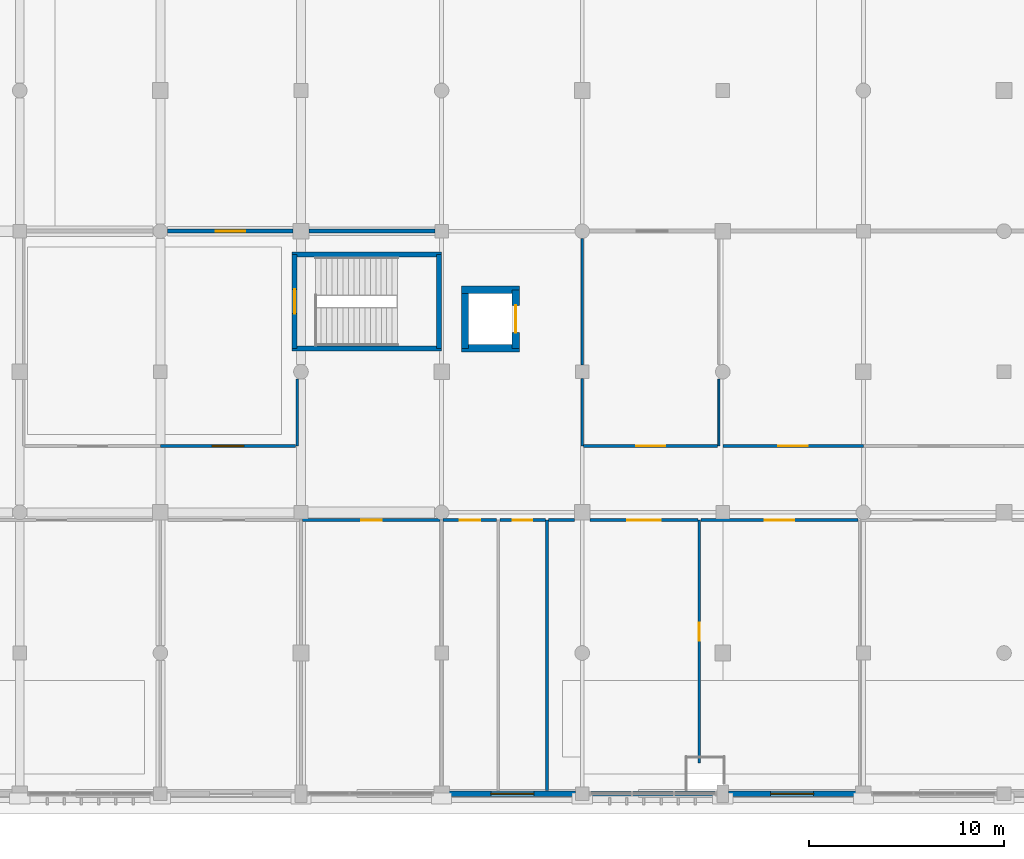
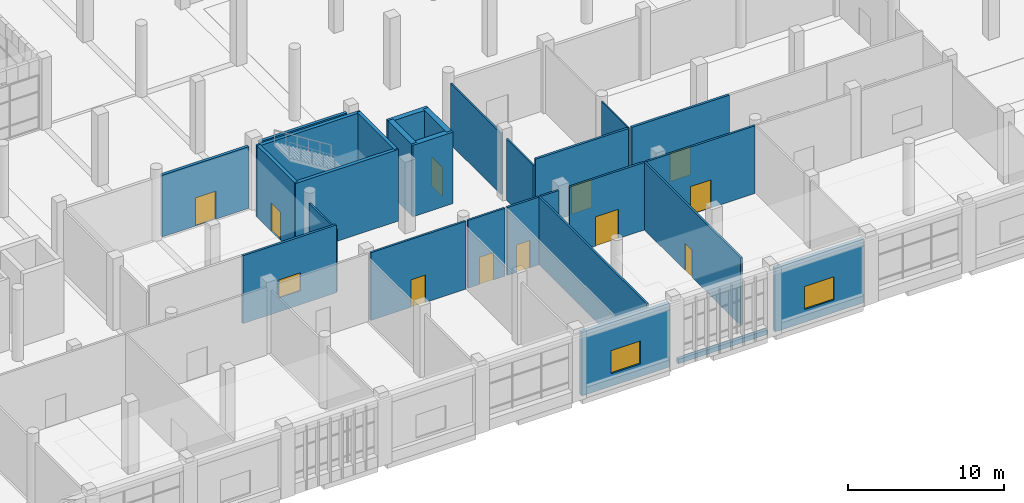
# One storey, part 54 of 80: 28 walls, 11 doors, 3 windows, 14 openings.
"""IFC4 building model written with IfcOpenShell, lengths in metres."""

from ifc_helpers import new_model, si_unit, direction, frame, frame_2d, origin, place, context, subcontext, project, spatial, rectangle, extrude, material, layer, layer_set, type_object, element, fill, save


model = new_model("IFC4")

# Units and contexts
model_context = context("Model", 3, precision=1e-05, world=origin(), true_north=direction((0.0, 1.0)))
body_context = subcontext(model_context, "Body", "Model", "MODEL_VIEW")
ifc_project = project(units=[si_unit("LENGTHUNIT", "METRE"), si_unit("AREAUNIT", "SQUARE_METRE"), si_unit("VOLUMEUNIT", "CUBIC_METRE"), si_unit("PLANEANGLEUNIT", "RADIAN"), si_unit("MASSUNIT", "GRAM", prefix="KILO")], contexts=[model_context])

# Site, building, storey
site_placement = place(None, origin())
site = spatial("IfcSite", under=ifc_project, at=site_placement, CompositionType="ELEMENT")
building_placement = place(site_placement, origin())
building = spatial("IfcBuilding", under=site, at=building_placement, Name="Sardonyx Promenade Sports Hall", CompositionType="ELEMENT")
storey_placement = place(building_placement, frame((0.0, 0.0, 5.60009765625)))
storey = spatial("IfcBuildingStorey", under=building, at=storey_placement, Name="L01", CompositionType="ELEMENT", Elevation=5.60009765625)

# Wall, opening, door
ifc_material_1 = material(Name="Concrete C40/50", Category="concrete")
ifc_layer_1 = layer(ifc_material_1, 0.3798828125)
ifc_layer_set_1 = layer_set([ifc_layer_1], Name="Wall_Core_Shear_380")
wall_type_1 = type_object("IfcWallType", Name="Wall_Core_Shear_380", PredefinedType="SHEAR", material=ifc_layer_set_1)
wall_1_placement = place(storey_placement, frame((111.800048828125, 22.800048828125, 0.0), z_axis=(0.0, 0.0, 1.0), x_axis=(0.0, 1.0, 0.0)))
wall_1 = element("IfcWall", 1, at=wall_1_placement, inside=storey, type_object=wall_type_1, Name="Lift shaft wall LF4 L01 E", PredefinedType="SHEAR", context=body_context, shape_type="SweptSolid", body=[
    extrude(rectangle(XDim=3.0, YDim=0.3798828125, at=frame_2d((1.5, 0.0))), origin(), (0.0, 0.0, 1.0), 5.599853515625),
])
opening_1_placement = place(wall_1_placement, frame((0.800048828125, 0.0, 0.0)))
opening_1 = element("IfcOpeningElement", 2, at=opening_1_placement, cuts=wall_1, Name="Opening LD02", PredefinedType="OPENING", context=body_context, shape_type="SweptSolid", body=[
    extrude(rectangle(XDim=1.39990234375, YDim=2.300048828125, at=frame_2d((0.699951171875, 1.14990234375))), frame((0.0, 0.2, 0.0), z_axis=(0.0, -1.0, 0.0), x_axis=(1.0, 0.0, 0.0)), (0.0, 0.0, 1.0), 0.4),
])
ifc_material_2 = material(Name="Fire-rated heavy-duty sliding lift door", Category="steel")
door_type_1 = type_object("IfcDoorType", Name="Door_Lift_Goods_140x230", OperationType="NOTDEFINED", PredefinedType="DOOR", material=ifc_material_2)
door_1_placement = place(opening_1_placement, origin())
door_1 = element("IfcDoor", 3, at=door_1_placement, inside=storey, type_object=door_type_1, Name="Lift landing sliding door LD-LF4-L01", OperationType="SLIDING_TO_LEFT", OverallHeight=2.300048828125, OverallWidth=1.39990234375, PredefinedType="DOOR", context=body_context, shape_type="SweptSolid", body=[
    extrude(rectangle(XDim=1.39990234375, YDim=2.300048828125, at=frame_2d((0.699951171875, 1.14990234375))), frame((0.0, 0.02490234375, 0.0), z_axis=(0.0, -1.0, 0.0), x_axis=(1.0, 0.0, 0.0)), (0.0, 0.0, 1.0), 0.050048828125),
])
fill(opening_1, door_1)

# Walls
wall_2_placement = place(storey_placement, frame((109.010009765625, 25.800048828125, 0.0), z_axis=(0.0, 0.0, 1.0), x_axis=(1.0, 0.0, 0.0)))
element("IfcWall", 4, at=wall_2_placement, inside=storey, type_object=wall_type_1, Name="Lift shaft wall LF4 L01 N", PredefinedType="SHEAR", context=body_context, shape_type="SweptSolid", body=[
    extrude(rectangle(XDim=2.97998046875, YDim=0.3798828125, at=frame_2d((1.489990234375, 0.0))), origin(), (0.0, 0.0, 1.0), 5.599853515625),
])
wall_3_placement = place(storey_placement, frame((109.199951171875, 25.800048828125, 0.0), z_axis=(0.0, 0.0, 1.0), x_axis=(0.0, -1.0, 0.0)))
element("IfcWall", 5, at=wall_3_placement, inside=storey, type_object=wall_type_1, Name="Lift shaft wall LF4 L01 W", PredefinedType="SHEAR", context=body_context, shape_type="SweptSolid", body=[
    extrude(rectangle(XDim=3.0, YDim=0.3798828125, at=frame_2d((1.5, 0.0))), origin(), (0.0, 0.0, 1.0), 5.599853515625),
])
wall_4_placement = place(storey_placement, frame((111.989990234375, 22.800048828125, 0.0), z_axis=(0.0, 0.0, 1.0), x_axis=(-1.0, 0.0, 0.0)))
element("IfcWall", 6, at=wall_4_placement, inside=storey, type_object=wall_type_1, Name="Lift shaft wall LF4 L01 S", PredefinedType="SHEAR", context=body_context, shape_type="SweptSolid", body=[
    extrude(rectangle(XDim=2.97998046875, YDim=0.3798828125, at=frame_2d((1.489990234375, 0.0))), origin(), (0.0, 0.0, 1.0), 5.599853515625),
])
ifc_material_3 = material(Name="Masonry CMU 15 MPa", Category="masonry")
ifc_layer_2 = layer(ifc_material_3, 0.239990234375)
ifc_layer_set_2 = layer_set([ifc_layer_2], Name="Wall_Ext_Spandrel_240")
wall_type_2 = type_object("IfcWallType", Name="Wall_Ext_Spandrel_240", PredefinedType="SOLIDWALL", material=ifc_layer_set_2)
wall_5_placement = place(storey_placement, frame((122.114990234375, 0.0, 0.0), z_axis=(0.0, 0.0, 1.0), x_axis=(-1.0, 0.0, 0.0)))
element("IfcWall", 7, at=wall_5_placement, inside=storey, type_object=wall_type_2, Name="Curtain-wall sill spandrel L01 #37", PredefinedType="SOLIDWALL", context=body_context, shape_type="SweptSolid", body=[
    extrude(rectangle(XDim=6.580078125, YDim=0.239990234375, at=frame_2d((3.2900390625, 0.0))), origin(), (0.0, 0.0, 1.0), 0.349853515625),
])

# Wall, opening, window
ifc_material_4 = material(Name="Concrete C40/50", Category="concrete")
ifc_layer_3 = layer(ifc_material_4, 0.280029296875)
ifc_layer_set_3 = layer_set([ifc_layer_3], Name="Wall_Ext_Wing_280")
wall_type_3 = type_object("IfcWallType", Name="Wall_Ext_Wing_280", PredefinedType="SOLIDWALL", material=ifc_layer_set_3)
wall_6_placement = place(storey_placement, frame((129.215087890625, 0.0, 0.0), z_axis=(0.0, 0.0, 1.0), x_axis=(-1.0, 0.0, 0.0)))
wall_6 = element("IfcWall", 8, at=wall_6_placement, inside=storey, type_object=wall_type_3, Name="Exterior wall EW02 L01 #36", PredefinedType="SOLIDWALL", context=body_context, shape_type="SweptSolid", body=[
    extrude(rectangle(XDim=6.530029296875, YDim=0.280029296875, at=frame_2d((3.26513671875, 0.0))), origin(), (0.0, 0.0, 1.0), 4.98486328125),
])
opening_2_placement = place(wall_6_placement, frame((2.1650390625, 0.0, 1.0)))
opening_2 = element("IfcOpeningElement", 9, at=opening_2_placement, cuts=wall_6, Name="Opening W13", PredefinedType="OPENING", context=body_context, shape_type="SweptSolid", body=[
    extrude(rectangle(XDim=2.199951171875, YDim=1.800048828125, at=frame_2d((1.10009765625, 0.89990234375))), frame((0.0, 0.15, 0.0), z_axis=(0.0, -1.0, 0.0), x_axis=(1.0, 0.0, 0.0)), (0.0, 0.0, 1.0), 0.3),
])
ifc_material_5 = material(Name="Double-glazed solar low-E aluminium window", Category="aluminium")
window_type_1 = type_object("IfcWindowType", Name="Win_Clinic_220x180", PartitioningType="DOUBLE_PANEL_VERTICAL", PredefinedType="WINDOW", material=ifc_material_5)
window_1_placement = place(opening_2_placement, origin())
window_1 = element("IfcWindow", 10, at=window_1_placement, inside=storey, type_object=window_type_1, Name="Facade window W13 L01 #11", OverallHeight=1.800048828125, OverallWidth=2.199951171875, PartitioningType="SINGLE_PANEL", PredefinedType="WINDOW", context=body_context, shape_type="SweptSolid", body=[
    extrude(rectangle(XDim=2.199951171875, YDim=1.800048828125, at=frame_2d((1.10009765625, 0.89990234375))), frame((0.0, 0.030029296875, 0.0), z_axis=(0.0, -1.0, 0.0), x_axis=(1.0, 0.0, 0.0)), (0.0, 0.0, 1.0), 0.06005859375),
])
fill(opening_2, window_1)

wall_7_placement = place(storey_placement, frame((114.864990234375, 0.0, 0.0), z_axis=(0.0, 0.0, 1.0), x_axis=(-1.0, 0.0, 0.0)))
wall_7 = element("IfcWall", 11, at=wall_7_placement, inside=storey, type_object=wall_type_3, Name="Exterior wall EW02 L01 #38", PredefinedType="SOLIDWALL", context=body_context, shape_type="SweptSolid", body=[
    extrude(rectangle(XDim=6.47998046875, YDim=0.280029296875, at=frame_2d((3.239990234375, 0.0))), origin(), (0.0, 0.0, 1.0), 4.98486328125),
])
opening_3_placement = place(wall_7_placement, frame((2.139892578125, 0.0, 1.0)))
opening_3 = element("IfcOpeningElement", 12, at=opening_3_placement, cuts=wall_7, Name="Opening W13", PredefinedType="OPENING", context=body_context, shape_type="SweptSolid", body=[
    extrude(rectangle(XDim=2.199951171875, YDim=1.800048828125, at=frame_2d((1.10009765625, 0.89990234375))), frame((0.0, 0.15, 0.0), z_axis=(0.0, -1.0, 0.0), x_axis=(1.0, 0.0, 0.0)), (0.0, 0.0, 1.0), 0.3),
])
window_2_placement = place(opening_3_placement, origin())
window_2 = element("IfcWindow", 13, at=window_2_placement, inside=storey, type_object=window_type_1, Name="Facade window W13 L01 #12", OverallHeight=1.800048828125, OverallWidth=2.199951171875, PartitioningType="SINGLE_PANEL", PredefinedType="WINDOW", context=body_context, shape_type="SweptSolid", body=[
    extrude(rectangle(XDim=2.199951171875, YDim=1.800048828125, at=frame_2d((1.10009765625, 0.89990234375))), frame((0.0, 0.030029296875, 0.0), z_axis=(0.0, -1.0, 0.0), x_axis=(1.0, 0.0, 0.0)), (0.0, 0.0, 1.0), 0.06005859375),
])
fill(opening_3, window_2)

ifc_material_6 = material(Name="Twin-stud acoustic gypsum partition", Category="gypsum")
ifc_layer_4 = layer(ifc_material_6, 0.169921875)
ifc_layer_set_4 = layer_set([ifc_layer_4], Name="Wall_Part_Acoust_170")
wall_type_4 = type_object("IfcWallType", Name="Wall_Part_Acoust_170", PredefinedType="PARTITIONING", material=ifc_layer_set_4)
wall_8_placement = place(storey_placement, frame((93.610107421875, 17.800048828125, 0.0), z_axis=(0.0, 0.0, 1.0), x_axis=(1.0, 0.0, 0.0)))
wall_8 = element("IfcWall", 14, at=wall_8_placement, inside=storey, type_object=wall_type_4, Name="Interior partition PW06 L01 #232", PredefinedType="PARTITIONING", context=body_context, shape_type="SweptSolid", body=[
    extrude(rectangle(XDim=6.914794921875, YDim=0.169921875, at=frame_2d((3.45751953125, 0.0))), origin(), (0.0, 0.0, 1.0), 5.309814453125),
])
opening_4_placement = place(wall_8_placement, frame((2.657470703125, 0.0, 1.10009765625)))
opening_4 = element("IfcOpeningElement", 15, at=opening_4_placement, cuts=wall_8, Name="Opening IW02", PredefinedType="OPENING", context=body_context, shape_type="SweptSolid", body=[
    extrude(rectangle(XDim=1.60009765625, YDim=1.39990234375, at=frame_2d((0.800048828125, 0.699951171875))), frame((0.0, 0.095, 0.0), z_axis=(0.0, -1.0, 0.0), x_axis=(1.0, 0.0, 0.0)), (0.0, 0.0, 1.0), 0.19),
])
ifc_material_7 = material(Name="Acoustic laminated sports viewing glazing EI 60", Category="glass")
window_type_2 = type_object("IfcWindowType", Name="IWin_Clinic_160x140", PartitioningType="DOUBLE_PANEL_VERTICAL", PredefinedType="WINDOW", material=ifc_material_7)
window_3_placement = place(opening_4_placement, origin())
window_3 = element("IfcWindow", 16, at=window_3_placement, inside=storey, type_object=window_type_2, Name="Internal viewing window IW02 L01 #3", OverallHeight=1.39990234375, OverallWidth=1.60009765625, PartitioningType="SINGLE_PANEL", PredefinedType="WINDOW", context=body_context, shape_type="SweptSolid", body=[
    extrude(rectangle(XDim=1.60009765625, YDim=1.39990234375, at=frame_2d((0.800048828125, 0.699951171875))), frame((0.0, 0.030029296875, 0.0), z_axis=(0.0, -1.0, 0.0), x_axis=(1.0, 0.0, 0.0)), (0.0, 0.0, 1.0), 0.06005859375),
])
fill(opening_4, window_3)

# Wall, opening, door
wall_9_placement = place(storey_placement, frame((115.27001953125, 17.800048828125, 0.0), z_axis=(0.0, 0.0, 1.0), x_axis=(1.0, 0.0, 0.0)))
wall_9 = element("IfcWall", 17, at=wall_9_placement, inside=storey, type_object=wall_type_4, Name="Interior partition PW06 L01 #233", PredefinedType="PARTITIONING", context=body_context, shape_type="SweptSolid", body=[
    extrude(rectangle(XDim=6.869873046875, YDim=0.169921875, at=frame_2d((3.43505859375, 0.0))), origin(), (0.0, 0.0, 1.0), 5.289794921875),
])
opening_5_placement = place(wall_9_placement, frame((2.68505859375, 0.0, 0.0)))
opening_5 = element("IfcOpeningElement", 18, at=opening_5_placement, cuts=wall_9, Name="Opening ID10", PredefinedType="OPENING", context=body_context, shape_type="SweptSolid", body=[
    extrude(rectangle(XDim=1.5, YDim=2.199951171875, at=frame_2d((0.75, 1.10009765625))), frame((0.0, 0.095, 0.0), z_axis=(0.0, -1.0, 0.0), x_axis=(1.0, 0.0, 0.0)), (0.0, 0.0, 1.0), 0.19),
])
ifc_material_8 = material(Name="Double studio entrance fire door FD30S", Category="wood")
door_type_2 = type_object("IfcDoorType", Name="Door_Corr_FD30_150x220", OperationType="NOTDEFINED", PredefinedType="DOOR", material=ifc_material_8)
door_2_placement = place(opening_5_placement, origin())
door_2 = element("IfcDoor", 19, at=door_2_placement, inside=storey, type_object=door_type_2, Name="Interior door D01-073", OperationType="DOUBLE_DOOR_SINGLE_SWING", OverallHeight=2.199951171875, OverallWidth=1.5, PredefinedType="DOOR", context=body_context, shape_type="SweptSolid", body=[
    extrude(rectangle(XDim=1.5, YDim=2.199951171875, at=frame_2d((0.75, 1.10009765625))), frame((0.0, 0.02490234375, 0.0), z_axis=(0.0, -1.0, 0.0), x_axis=(1.0, 0.0, 0.0)), (0.0, 0.0, 1.0), 0.050048828125),
])
fill(opening_5, door_2)

wall_10_placement = place(storey_placement, frame((122.39990234375, 17.800048828125, 0.0), z_axis=(0.0, 0.0, 1.0), x_axis=(1.0, 0.0, 0.0)))
wall_10 = element("IfcWall", 20, at=wall_10_placement, inside=storey, type_object=wall_type_4, Name="Interior partition PW06 L01 #234", PredefinedType="PARTITIONING", context=body_context, shape_type="SweptSolid", body=[
    extrude(rectangle(XDim=7.2001953125, YDim=0.169921875, at=frame_2d((3.60009765625, 0.0))), origin(), (0.0, 0.0, 1.0), 5.289794921875),
])
opening_6_placement = place(wall_10_placement, frame((2.85009765625, 0.0, 0.0)))
opening_6 = element("IfcOpeningElement", 21, at=opening_6_placement, cuts=wall_10, Name="Opening ID10", PredefinedType="OPENING", context=body_context, shape_type="SweptSolid", body=[
    extrude(rectangle(XDim=1.5, YDim=2.199951171875, at=frame_2d((0.75, 1.10009765625))), frame((0.0, 0.095, 0.0), z_axis=(0.0, -1.0, 0.0), x_axis=(1.0, 0.0, 0.0)), (0.0, 0.0, 1.0), 0.19),
])
door_3_placement = place(opening_6_placement, origin())
door_3 = element("IfcDoor", 22, at=door_3_placement, inside=storey, type_object=door_type_2, Name="Interior door D01-074", OperationType="DOUBLE_DOOR_SINGLE_SWING", OverallHeight=2.199951171875, OverallWidth=1.5, PredefinedType="DOOR", context=body_context, shape_type="SweptSolid", body=[
    extrude(rectangle(XDim=1.5, YDim=2.199951171875, at=frame_2d((0.75, 1.10009765625))), frame((0.0, 0.02490234375, 0.0), z_axis=(0.0, -1.0, 0.0), x_axis=(1.0, 0.0, 0.0)), (0.0, 0.0, 1.0), 0.050048828125),
])
fill(opening_6, door_3)

ifc_material_9 = material(Name="Masonry CMU 15 MPa", Category="masonry")
ifc_layer_5 = layer(ifc_material_9, 0.2099609375)
ifc_layer_set_5 = layer_set([ifc_layer_5], Name="Wall_Part_Block_210")
wall_type_5 = type_object("IfcWallType", Name="Wall_Part_Block_210", PredefinedType="PARTITIONING", material=ifc_layer_set_5)
wall_11_placement = place(storey_placement, frame((93.97509765625, 28.800048828125, 0.0), z_axis=(0.0, 0.0, 1.0), x_axis=(1.0, 0.0, 0.0)))
wall_11 = element("IfcWall", 23, at=wall_11_placement, inside=storey, type_object=wall_type_5, Name="Interior partition PW07 L01 #203", PredefinedType="PARTITIONING", context=body_context, shape_type="SweptSolid", body=[
    extrude(rectangle(XDim=6.4248046875, YDim=0.2099609375, at=frame_2d((3.21240234375, 0.0))), origin(), (0.0, 0.0, 1.0), 4.829833984375),
])
opening_7_placement = place(wall_11_placement, frame((2.46240234375, 0.0, 0.0)))
opening_7 = element("IfcOpeningElement", 24, at=opening_7_placement, cuts=wall_11, Name="Opening ID10", PredefinedType="OPENING", context=body_context, shape_type="SweptSolid", body=[
    extrude(rectangle(XDim=1.5, YDim=2.199951171875, at=frame_2d((0.75, 1.10009765625))), frame((0.0, 0.115, 0.0), z_axis=(0.0, -1.0, 0.0), x_axis=(1.0, 0.0, 0.0)), (0.0, 0.0, 1.0), 0.23),
])
door_4_placement = place(opening_7_placement, origin())
door_4 = element("IfcDoor", 25, at=door_4_placement, inside=storey, type_object=door_type_2, Name="Interior door D01-053", OperationType="DOUBLE_DOOR_SINGLE_SWING", OverallHeight=2.199951171875, OverallWidth=1.5, PredefinedType="DOOR", context=body_context, shape_type="SweptSolid", body=[
    extrude(rectangle(XDim=1.5, YDim=2.199951171875, at=frame_2d((0.75, 1.10009765625))), frame((0.0, 0.02490234375, 0.0), z_axis=(0.0, -1.0, 0.0), x_axis=(1.0, 0.0, 0.0)), (0.0, 0.0, 1.0), 0.050048828125),
])
fill(opening_7, door_4)

# Walls
wall_12_placement = place(storey_placement, frame((101.199951171875, 28.800048828125, 0.0), z_axis=(0.0, 0.0, 1.0), x_axis=(1.0, 0.0, 0.0)))
element("IfcWall", 26, at=wall_12_placement, inside=storey, type_object=wall_type_5, Name="Interior partition PW07 L01 #204", PredefinedType="PARTITIONING", context=body_context, shape_type="SweptSolid", body=[
    extrude(rectangle(XDim=6.449951171875, YDim=0.2099609375, at=frame_2d((3.22509765625, 0.0))), origin(), (0.0, 0.0, 1.0), 4.929931640625),
])
ifc_material_10 = material(Name="Hygienic clinical stud partition", Category="gypsum")
ifc_layer_6 = layer(ifc_material_10, 0.1201171875)
ifc_layer_set_6 = layer_set([ifc_layer_6], Name="Wall_Part_Clinic_120")
wall_type_6 = type_object("IfcWallType", Name="Wall_Part_Clinic_120", PredefinedType="PARTITIONING", material=ifc_layer_set_6)
wall_13_placement = place(storey_placement, frame((115.199951171875, 17.800048828125, 0.0), z_axis=(0.0, 0.0, 1.0), x_axis=(0.0, 1.0, 0.0)))
element("IfcWall", 27, at=wall_13_placement, inside=storey, type_object=wall_type_6, Name="Interior partition PW02 L01 #188", PredefinedType="PARTITIONING", context=body_context, shape_type="SweptSolid", body=[
    extrude(rectangle(XDim=3.449951171875, YDim=0.1201171875, at=frame_2d((1.72509765625, 0.0))), origin(), (0.0, 0.0, 1.0), 4.789794921875),
])
wall_14_placement = place(storey_placement, frame((115.199951171875, 21.949951171875, 0.0), z_axis=(0.0, 0.0, 1.0), x_axis=(0.0, 1.0, 0.0)))
element("IfcWall", 28, at=wall_14_placement, inside=storey, type_object=wall_type_6, Name="Interior partition PW02 L01 #189", PredefinedType="PARTITIONING", context=body_context, shape_type="SweptSolid", body=[
    extrude(rectangle(XDim=6.47509765625, YDim=0.1201171875, at=frame_2d((3.237548828125, 0.0))), origin(), (0.0, 0.0, 1.0), 4.789794921875),
])

# Wall, opening, door
ifc_material_11 = material(Name="Fire-rated stud gypsum partition", Category="gypsum")
ifc_layer_7 = layer(ifc_material_11, 0.14990234375)
ifc_layer_set_7 = layer_set([ifc_layer_7], Name="Wall_Part_Corridor_150")
wall_type_7 = type_object("IfcWallType", Name="Wall_Part_Corridor_150", PredefinedType="PARTITIONING", material=ifc_layer_set_7)
wall_15_placement = place(storey_placement, frame((100.8798828125, 14.0, 0.0), z_axis=(0.0, 0.0, 1.0), x_axis=(1.0, 0.0, 0.0)))
wall_15 = element("IfcWall", 29, at=wall_15_placement, inside=storey, type_object=wall_type_7, Name="Interior partition PW04 L01 #219", PredefinedType="PARTITIONING", context=body_context, shape_type="SweptSolid", body=[
    extrude(rectangle(XDim=7.0400390625, YDim=0.14990234375, at=frame_2d((3.52001953125, 0.0))), origin(), (0.0, 0.0, 1.0), 5.309814453125),
])
opening_8_placement = place(wall_15_placement, frame((2.9951171875, 0.0, 0.0)))
opening_8 = element("IfcOpeningElement", 30, at=opening_8_placement, cuts=wall_15, Name="Opening ID07", PredefinedType="OPENING", context=body_context, shape_type="SweptSolid", body=[
    extrude(rectangle(XDim=1.050048828125, YDim=2.14990234375, at=frame_2d((0.52490234375, 1.074951171875))), frame((0.0, 0.085, 0.0), z_axis=(0.0, -1.0, 0.0), x_axis=(1.0, 0.0, 0.0)), (0.0, 0.0, 1.0), 0.17),
])
ifc_material_12 = material(Name="Hardwood accessible fire door FD30S", Category="wood")
door_type_3 = type_object("IfcDoorType", Name="Door_Corr_FD30_105x215", OperationType="NOTDEFINED", PredefinedType="DOOR", material=ifc_material_12)
door_5_placement = place(opening_8_placement, origin())
door_5 = element("IfcDoor", 31, at=door_5_placement, inside=storey, type_object=door_type_3, Name="Interior door D01-062", OperationType="SINGLE_SWING_RIGHT", OverallHeight=2.14990234375, OverallWidth=1.050048828125, PredefinedType="DOOR", context=body_context, shape_type="SweptSolid", body=[
    extrude(rectangle(XDim=1.050048828125, YDim=2.14990234375, at=frame_2d((0.52490234375, 1.074951171875))), frame((0.0, 0.02490234375, 0.0), z_axis=(0.0, -1.0, 0.0), x_axis=(1.0, 0.0, 0.0)), (0.0, 0.0, 1.0), 0.050048828125),
])
fill(opening_8, door_5)

wall_16_placement = place(storey_placement, frame((108.080078125, 14.0, 0.0), z_axis=(0.0, 0.0, 1.0), x_axis=(1.0, 0.0, 0.0)))
wall_16 = element("IfcWall", 32, at=wall_16_placement, inside=storey, type_object=wall_type_7, Name="Interior partition PW04 L01 #220", PredefinedType="PARTITIONING", context=body_context, shape_type="SweptSolid", body=[
    extrude(rectangle(XDim=2.739990234375, YDim=0.14990234375, at=frame_2d((1.3701171875, 0.0))), origin(), (0.0, 0.0, 1.0), 5.309814453125),
])
opening_9_placement = place(wall_16_placement, frame((0.844970703125, 0.0, 0.0)))
opening_9 = element("IfcOpeningElement", 33, at=opening_9_placement, cuts=wall_16, Name="Opening ID07", PredefinedType="OPENING", context=body_context, shape_type="SweptSolid", body=[
    extrude(rectangle(XDim=1.050048828125, YDim=2.14990234375, at=frame_2d((0.52490234375, 1.074951171875))), frame((0.0, 0.085, 0.0), z_axis=(0.0, -1.0, 0.0), x_axis=(1.0, 0.0, 0.0)), (0.0, 0.0, 1.0), 0.17),
])
door_6_placement = place(opening_9_placement, origin())
door_6 = element("IfcDoor", 34, at=door_6_placement, inside=storey, type_object=door_type_3, Name="Interior door D01-063", OperationType="SINGLE_SWING_LEFT", OverallHeight=2.14990234375, OverallWidth=1.050048828125, PredefinedType="DOOR", context=body_context, shape_type="SweptSolid", body=[
    extrude(rectangle(XDim=1.050048828125, YDim=2.14990234375, at=frame_2d((0.52490234375, 1.074951171875))), frame((0.0, 0.02490234375, 0.0), z_axis=(0.0, -1.0, 0.0), x_axis=(1.0, 0.0, 0.0)), (0.0, 0.0, 1.0), 0.050048828125),
])
fill(opening_9, door_6)

wall_17_placement = place(storey_placement, frame((110.97998046875, 14.0, 0.0), z_axis=(0.0, 0.0, 1.0), x_axis=(1.0, 0.0, 0.0)))
wall_17 = element("IfcWall", 35, at=wall_17_placement, inside=storey, type_object=wall_type_7, Name="Interior partition PW04 L01 #221", PredefinedType="PARTITIONING", context=body_context, shape_type="SweptSolid", body=[
    extrude(rectangle(XDim=2.340087890625, YDim=0.14990234375, at=frame_2d((1.169921875, 0.0))), origin(), (0.0, 0.0, 1.0), 5.309814453125),
])
opening_10_placement = place(wall_17_placement, frame((0.669921875, 0.0, 0.0)))
opening_10 = element("IfcOpeningElement", 36, at=opening_10_placement, cuts=wall_17, Name="Opening ID14", PredefinedType="OPENING", context=body_context, shape_type="SweptSolid", body=[
    extrude(rectangle(XDim=1.0, YDim=2.14990234375, at=frame_2d((0.5, 1.074951171875))), frame((0.0, 0.085, 0.0), z_axis=(0.0, -1.0, 0.0), x_axis=(1.0, 0.0, 0.0)), (0.0, 0.0, 1.0), 0.17),
])
ifc_material_13 = material(Name="Hardwood corridor fire door FD30S", Category="wood")
door_type_4 = type_object("IfcDoorType", Name="Door_Corr_FD30_100x215", OperationType="NOTDEFINED", PredefinedType="DOOR", material=ifc_material_13)
door_7_placement = place(opening_10_placement, origin())
door_7 = element("IfcDoor", 37, at=door_7_placement, inside=storey, type_object=door_type_4, Name="Interior door D01-064", OperationType="SINGLE_SWING_RIGHT", OverallHeight=2.14990234375, OverallWidth=1.0, PredefinedType="DOOR", context=body_context, shape_type="SweptSolid", body=[
    extrude(rectangle(XDim=1.0, YDim=2.14990234375, at=frame_2d((0.5, 1.074951171875))), frame((0.0, 0.02490234375, 0.0), z_axis=(0.0, -1.0, 0.0), x_axis=(1.0, 0.0, 0.0)), (0.0, 0.0, 1.0), 0.050048828125),
])
fill(opening_10, door_7)

# Wall
wall_18_placement = place(storey_placement, frame((113.47998046875, 14.0, 0.0), z_axis=(0.0, 0.0, 1.0), x_axis=(1.0, 0.0, 0.0)))
element("IfcWall", 38, at=wall_18_placement, inside=storey, type_object=wall_type_7, Name="Interior partition PW04 L01 #222", PredefinedType="PARTITIONING", context=body_context, shape_type="SweptSolid", body=[
    extrude(rectangle(XDim=1.320068359375, YDim=0.14990234375, at=frame_2d((0.66015625, 0.0))), origin(), (0.0, 0.0, 1.0), 5.309814453125),
])

# Wall, opening, door
wall_19_placement = place(storey_placement, frame((115.60009765625, 14.0, 0.0), z_axis=(0.0, 0.0, 1.0), x_axis=(1.0, 0.0, 0.0)))
wall_19 = element("IfcWall", 39, at=wall_19_placement, inside=storey, type_object=wall_type_7, Name="Interior partition PW04 L01 #223", PredefinedType="PARTITIONING", context=body_context, shape_type="SweptSolid", body=[
    extrude(rectangle(XDim=5.52001953125, YDim=0.14990234375, at=frame_2d((2.760009765625, 0.0))), origin(), (0.0, 0.0, 1.0), 5.289794921875),
])
opening_11_placement = place(wall_19_placement, frame((1.909912109375, 0.0, 0.0)))
opening_11 = element("IfcOpeningElement", 40, at=opening_11_placement, cuts=wall_19, Name="Opening ID03", PredefinedType="OPENING", context=body_context, shape_type="SweptSolid", body=[
    extrude(rectangle(XDim=1.699951171875, YDim=2.300048828125, at=frame_2d((0.85009765625, 1.14990234375))), frame((0.0, 0.085, 0.0), z_axis=(0.0, -1.0, 0.0), x_axis=(1.0, 0.0, 0.0)), (0.0, 0.0, 1.0), 0.17),
])
ifc_material_14 = material(Name="Double changing suite fire door FD30S", Category="wood")
door_type_5 = type_object("IfcDoorType", Name="Door_Corr_FD30_170x230", OperationType="NOTDEFINED", PredefinedType="DOOR", material=ifc_material_14)
door_8_placement = place(opening_11_placement, origin())
door_8 = element("IfcDoor", 41, at=door_8_placement, inside=storey, type_object=door_type_5, Name="Interior door D01-065", OperationType="DOUBLE_DOOR_SINGLE_SWING", OverallHeight=2.300048828125, OverallWidth=1.699951171875, PredefinedType="DOOR", context=body_context, shape_type="SweptSolid", body=[
    extrude(rectangle(XDim=1.699951171875, YDim=2.300048828125, at=frame_2d((0.85009765625, 1.14990234375))), frame((0.0, 0.02490234375, 0.0), z_axis=(0.0, -1.0, 0.0), x_axis=(1.0, 0.0, 0.0)), (0.0, 0.0, 1.0), 0.050048828125),
])
fill(opening_11, door_8)

wall_20_placement = place(storey_placement, frame((121.280029296875, 14.0, 0.0), z_axis=(0.0, 0.0, 1.0), x_axis=(1.0, 0.0, 0.0)))
wall_20 = element("IfcWall", 42, at=wall_20_placement, inside=storey, type_object=wall_type_7, Name="Interior partition PW04 L01 #224", PredefinedType="PARTITIONING", context=body_context, shape_type="SweptSolid", body=[
    extrude(rectangle(XDim=8.050048828125, YDim=0.14990234375, at=frame_2d((4.02490234375, 0.0))), origin(), (0.0, 0.0, 1.0), 5.289794921875),
])
opening_12_placement = place(wall_20_placement, frame((3.27490234375, 0.0, 0.0)))
opening_12 = element("IfcOpeningElement", 43, at=opening_12_placement, cuts=wall_20, Name="Opening ID10", PredefinedType="OPENING", context=body_context, shape_type="SweptSolid", body=[
    extrude(rectangle(XDim=1.5, YDim=2.199951171875, at=frame_2d((0.75, 1.10009765625))), frame((0.0, 0.085, 0.0), z_axis=(0.0, -1.0, 0.0), x_axis=(1.0, 0.0, 0.0)), (0.0, 0.0, 1.0), 0.17),
])
door_9_placement = place(opening_12_placement, origin())
door_9 = element("IfcDoor", 44, at=door_9_placement, inside=storey, type_object=door_type_2, Name="Interior door D01-066", OperationType="DOUBLE_DOOR_SINGLE_SWING", OverallHeight=2.199951171875, OverallWidth=1.5, PredefinedType="DOOR", context=body_context, shape_type="SweptSolid", body=[
    extrude(rectangle(XDim=1.5, YDim=2.199951171875, at=frame_2d((0.75, 1.10009765625))), frame((0.0, 0.02490234375, 0.0), z_axis=(0.0, -1.0, 0.0), x_axis=(1.0, 0.0, 0.0)), (0.0, 0.0, 1.0), 0.050048828125),
])
fill(opening_12, door_9)

# Walls
ifc_material_15 = material(Name="Lightweight steel-stud partition", Category="steel")
ifc_layer_8 = layer(ifc_material_15, 0.10009765625)
ifc_layer_set_8 = layer_set([ifc_layer_8], Name="Wall_Part_Light_100")
wall_type_8 = type_object("IfcWallType", Name="Wall_Part_Light_100", PredefinedType="PARTITIONING", material=ifc_layer_set_8)
wall_21_placement = place(storey_placement, frame((122.199951171875, 17.800048828125, 0.0), z_axis=(0.0, 0.0, 1.0), x_axis=(0.0, 1.0, 0.0)))
element("IfcWall", 45, at=wall_21_placement, inside=storey, type_object=wall_type_8, Name="Interior partition PW01 L01 #190", PredefinedType="PARTITIONING", context=body_context, shape_type="SweptSolid", body=[
    extrude(rectangle(XDim=3.425048828125, YDim=0.10009765625, at=frame_2d((1.71240234375, 0.0))), origin(), (0.0, 0.0, 1.0), 5.289794921875),
])
ifc_material_16 = material(Name="Acoustic sports stud partition", Category="gypsum")
ifc_layer_9 = layer(ifc_material_16, 0.1298828125)
ifc_layer_set_9 = layer_set([ifc_layer_9], Name="Wall_Part_Studio_130")
wall_type_9 = type_object("IfcWallType", Name="Wall_Part_Studio_130", PredefinedType="PARTITIONING", material=ifc_layer_set_9)
wall_22_placement = place(storey_placement, frame((100.60009765625, 17.800048828125, 0.0), z_axis=(0.0, 0.0, 1.0), x_axis=(0.0, 1.0, 0.0)))
element("IfcWall", 46, at=wall_22_placement, inside=storey, type_object=wall_type_9, Name="Interior partition PW05 L01 #187", PredefinedType="PARTITIONING", context=body_context, shape_type="SweptSolid", body=[
    extrude(rectangle(XDim=3.425048828125, YDim=0.1298828125, at=frame_2d((1.71240234375, 0.0))), origin(), (0.0, 0.0, 1.0), 4.8798828125),
])
ifc_material_17 = material(Name="Moisture-resistant masonry partition", Category="masonry")
ifc_layer_10 = layer(ifc_material_17, 0.139892578125)
ifc_layer_set_10 = layer_set([ifc_layer_10], Name="Wall_Part_Wet_140")
wall_type_10 = type_object("IfcWallType", Name="Wall_Part_Wet_140", PredefinedType="PARTITIONING", material=ifc_layer_set_10)
wall_23_placement = place(storey_placement, frame((113.39990234375, 0.14990234375, 0.0), z_axis=(0.0, 0.0, 1.0), x_axis=(0.0, 1.0, 0.0)))
element("IfcWall", 47, at=wall_23_placement, inside=storey, type_object=wall_type_10, Name="Interior partition PW08 L01 #164", PredefinedType="PARTITIONING", context=body_context, shape_type="SweptSolid", body=[
    extrude(rectangle(XDim=13.85009765625, YDim=0.139892578125, at=frame_2d((6.925048828125, 0.0))), origin(), (0.0, 0.0, 1.0), 5.309814453125),
])

# Wall, opening, door
wall_24_placement = place(storey_placement, frame((121.199951171875, 1.580078125, 0.0), z_axis=(0.0, 0.0, 1.0), x_axis=(0.0, 1.0, 0.0)))
wall_24 = element("IfcWall", 48, at=wall_24_placement, inside=storey, type_object=wall_type_10, Name="Interior partition PW08 L01 #172", PredefinedType="PARTITIONING", context=body_context, shape_type="SweptSolid", body=[
    extrude(rectangle(XDim=12.419921875, YDim=0.139892578125, at=frame_2d((6.2099609375, 0.0))), origin(), (0.0, 0.0, 1.0), 5.289794921875),
])
opening_13_placement = place(wall_24_placement, frame((6.260009765625, 0.0, 0.0)))
opening_13 = element("IfcOpeningElement", 49, at=opening_13_placement, cuts=wall_24, Name="Opening ID11", PredefinedType="OPENING", context=body_context, shape_type="SweptSolid", body=[
    extrude(rectangle(XDim=0.89990234375, YDim=2.10009765625, at=frame_2d((0.449951171875, 1.050048828125))), frame((0.0, 0.08, 0.0), z_axis=(0.0, -1.0, 0.0), x_axis=(1.0, 0.0, 0.0)), (0.0, 0.0, 1.0), 0.16),
])
ifc_material_18 = material(Name="Painted timber internal leaf door", Category="wood")
door_type_6 = type_object("IfcDoorType", Name="Door_Suite_090x210", OperationType="NOTDEFINED", PredefinedType="DOOR", material=ifc_material_18)
door_10_placement = place(opening_13_placement, origin())
door_10 = element("IfcDoor", 50, at=door_10_placement, inside=storey, type_object=door_type_6, Name="Interior door D01-048", OperationType="SINGLE_SWING_LEFT", OverallHeight=2.10009765625, OverallWidth=0.89990234375, PredefinedType="DOOR", context=body_context, shape_type="SweptSolid", body=[
    extrude(rectangle(XDim=0.89990234375, YDim=2.10009765625, at=frame_2d((0.449951171875, 1.050048828125))), frame((0.0, 0.02490234375, 0.0), z_axis=(0.0, -1.0, 0.0), x_axis=(1.0, 0.0, 0.0)), (0.0, 0.0, 1.0), 0.050048828125),
])
fill(opening_13, door_10)

ifc_material_19 = material(Name="Concrete C40/50", Category="concrete")
ifc_layer_11 = layer(ifc_material_19, 0.25)
ifc_layer_set_11 = layer_set([ifc_layer_11], Name="Wall_Stair_Shear_250")
wall_type_11 = type_object("IfcWallType", Name="Wall_Stair_Shear_250", PredefinedType="SHEAR", material=ifc_layer_set_11)
wall_25_placement = place(storey_placement, frame((100.47509765625, 22.800048828125, 0.0), z_axis=(0.0, 0.0, 1.0), x_axis=(0.0, 1.0, 0.0)))
wall_25 = element("IfcWall", 51, at=wall_25_placement, inside=storey, type_object=wall_type_11, Name="Stair shaft wall ST2 L01 entry", PredefinedType="SHEAR", context=body_context, shape_type="SweptSolid", body=[
    extrude(rectangle(XDim=4.800048828125, YDim=0.25, at=frame_2d((2.39990234375, 0.0))), origin(), (0.0, 0.0, 1.0), 5.599853515625),
])
opening_14_placement = place(wall_25_placement, frame((1.77490234375, 0.0, 0.0)))
opening_14 = element("IfcOpeningElement", 52, at=opening_14_placement, cuts=wall_25, Name="Opening ID13", PredefinedType="OPENING", context=body_context, shape_type="SweptSolid", body=[
    extrude(rectangle(XDim=1.25, YDim=2.199951171875, at=frame_2d((0.625, 1.10009765625))), frame((0.0, 0.135, 0.0), z_axis=(0.0, -1.0, 0.0), x_axis=(1.0, 0.0, 0.0)), (0.0, 0.0, 1.0), 0.27),
])
ifc_material_20 = material(Name="Solid-core hardwood fire door FD60S", Category="wood")
door_type_7 = type_object("IfcDoorType", Name="Door_Stair_FD60_125x220", OperationType="NOTDEFINED", PredefinedType="DOOR", material=ifc_material_20)
door_11_placement = place(opening_14_placement, origin())
door_11 = element("IfcDoor", 53, at=door_11_placement, inside=storey, type_object=door_type_7, Name="Protected stair door SD09 (ST2 L01)", OperationType="SINGLE_SWING_LEFT", OverallHeight=2.199951171875, OverallWidth=1.25, PredefinedType="DOOR", context=body_context, shape_type="SweptSolid", body=[
    extrude(rectangle(XDim=1.25, YDim=2.199951171875, at=frame_2d((0.625, 1.10009765625))), frame((0.0, 0.02490234375, 0.0), z_axis=(0.0, -1.0, 0.0), x_axis=(1.0, 0.0, 0.0)), (0.0, 0.0, 1.0), 0.050048828125),
])
fill(opening_14, door_11)

# Walls
wall_26_placement = place(storey_placement, frame((100.35009765625, 27.60009765625, 0.0), z_axis=(0.0, 0.0, 1.0), x_axis=(1.0, 0.0, 0.0)))
element("IfcWall", 54, at=wall_26_placement, inside=storey, type_object=wall_type_11, Name="Stair shaft wall ST2 L01 N", PredefinedType="SHEAR", context=body_context, shape_type="SweptSolid", body=[
    extrude(rectangle(XDim=7.64990234375, YDim=0.25, at=frame_2d((3.824951171875, 0.0))), origin(), (0.0, 0.0, 1.0), 5.599853515625),
])
wall_27_placement = place(storey_placement, frame((107.875, 27.60009765625, 0.0), z_axis=(0.0, 0.0, 1.0), x_axis=(0.0, -1.0, 0.0)))
element("IfcWall", 55, at=wall_27_placement, inside=storey, type_object=wall_type_11, Name="Stair shaft wall ST2 L01 E", PredefinedType="SHEAR", context=body_context, shape_type="SweptSolid", body=[
    extrude(rectangle(XDim=4.800048828125, YDim=0.25, at=frame_2d((2.39990234375, 0.0))), origin(), (0.0, 0.0, 1.0), 5.599853515625),
])
wall_28_placement = place(storey_placement, frame((108.0, 22.800048828125, 0.0), z_axis=(0.0, 0.0, 1.0), x_axis=(-1.0, 0.0, 0.0)))
element("IfcWall", 56, at=wall_28_placement, inside=storey, type_object=wall_type_11, Name="Stair shaft wall ST2 L01 S", PredefinedType="SHEAR", context=body_context, shape_type="SweptSolid", body=[
    extrude(rectangle(XDim=7.64990234375, YDim=0.25, at=frame_2d((3.824951171875, 0.0))), origin(), (0.0, 0.0, 1.0), 5.599853515625),
])

save(model, "model.ifc")
